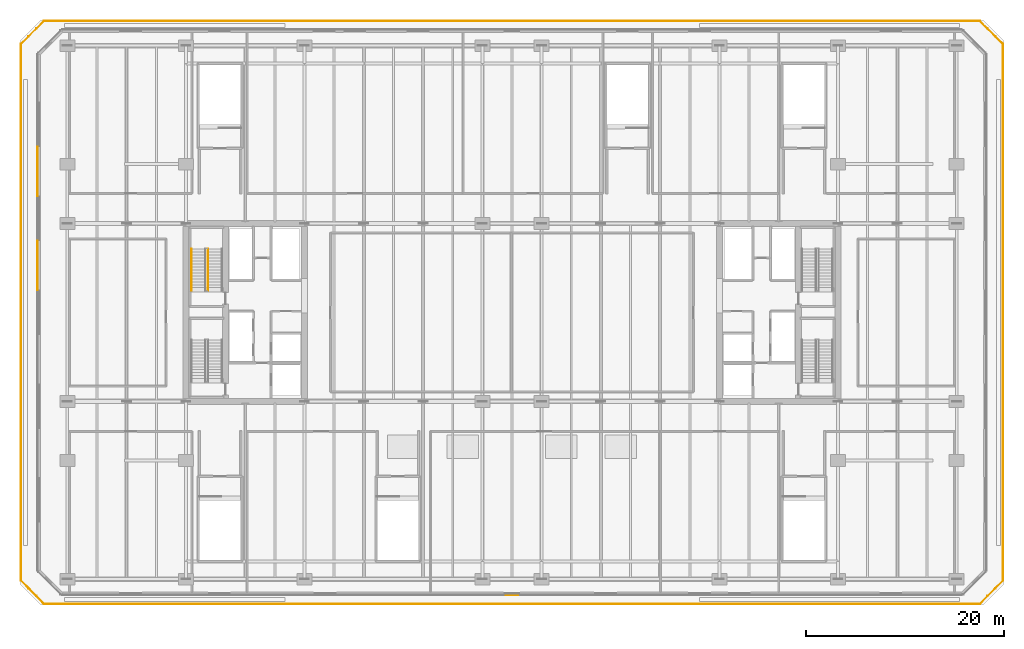
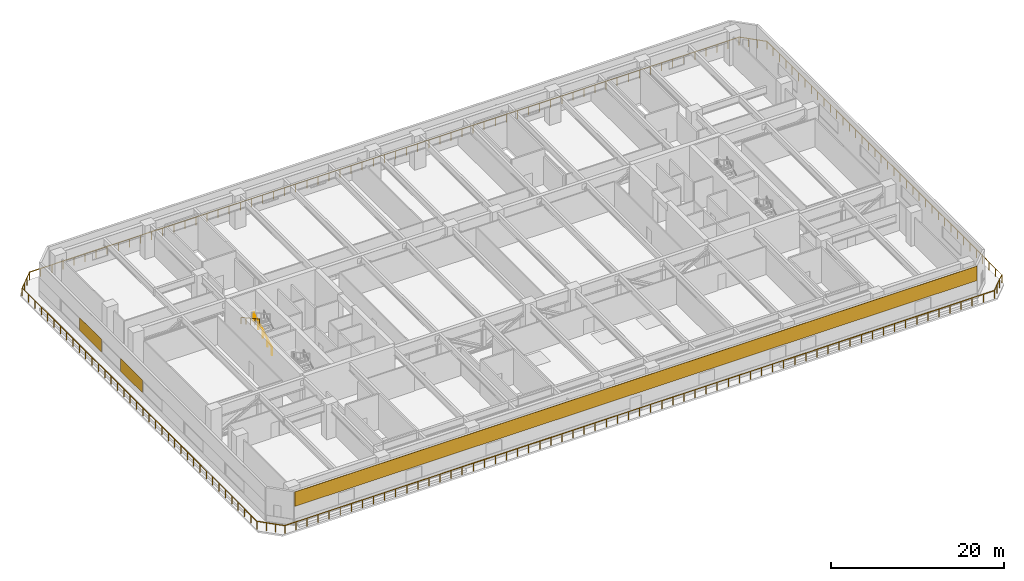
# One storey, part 19 of 25: 4 railings, 3 coverings.
"""IFC4 building model written with IfcOpenShell, lengths in metres."""

from ifc_helpers import new_model, si_unit, direction, frame, origin, origin_2d, place, context, subcontext, project, spatial, rectangle, extrude, material, layer, layer_set, type_object, element, save


model = new_model("IFC4")

# Units and contexts
model_context = context("Model", 3, precision=1e-05, world=origin(), true_north=direction((0.0, 1.0)))
body_context = subcontext(model_context, "Body", "Model", "MODEL_VIEW")
ifc_project = project(units=[si_unit("LENGTHUNIT", "METRE"), si_unit("AREAUNIT", "SQUARE_METRE"), si_unit("VOLUMEUNIT", "CUBIC_METRE"), si_unit("PLANEANGLEUNIT", "RADIAN"), si_unit("MASSUNIT", "GRAM", prefix="KILO")], contexts=[model_context])

# Site, building, storey
site_placement = place(None, origin())
site = spatial("IfcSite", under=ifc_project, at=site_placement, CompositionType="ELEMENT")
building_placement = place(site_placement, origin())
building = spatial("IfcBuilding", under=site, at=building_placement, Name="Tanjung Sevakor Pilgrim Tower", CompositionType="ELEMENT")
storey_placement = place(building_placement, frame((0.0, 0.0, 24.090087890625)))
storey = spatial("IfcBuildingStorey", under=building, at=storey_placement, Name="L06", CompositionType="ELEMENT", Elevation=24.090087890625)

# Coverings
ifc_material_1 = material(Name="Reconstructed Limestone Cladding", Category="masonry")
ifc_layer = layer(ifc_material_1, 0.044921875)
ifc_layer_set = layer_set([ifc_layer], Name="COV-CLAD-LIMESTONE")
covering_type = type_object("IfcCoveringType", Name="COV-CLAD-LIMESTONE", PredefinedType="CLADDING", material=ifc_layer_set)
covering_placement = place(storey_placement, frame((57.0, 4.9775390625, 2.659912109375), z_axis=(0.0, 0.0, 1.0), x_axis=(1.0, 0.0, 0.0)))
element("IfcCovering", 1, at=covering_placement, inside=storey, type_object=covering_type, Name="L06 Warm Limestone Cornice Spandrel EW-L06-MAIN-1", PredefinedType="CLADDING", context=body_context, shape_type="SweptSolid", body=[
    extrude(rectangle(XDim=91.0439453125, YDim=0.044921875, at=origin_2d()), origin(), (0.0, 0.0, 1.0), 2.0400390625),
])
for number, where, z_axis, x_axis, name in (
    (2, (8.9775390625, 47.85009765625, 0.849853515625), (0.0, 0.0, 1.0), (0.0, -1.0, 0.0), "L06 Warm Limestone Pier Panel EW-L06-MAIN-7-2"),
    (3, (8.9775390625, 38.35009765625, 0.849853515625), (0.0, 0.0, 1.0), (0.0, -1.0, 0.0), "L06 Warm Limestone Pier Panel EW-L06-MAIN-7-3"),
):
    element("IfcCovering", number, at=place(storey_placement, frame(where, z_axis=z_axis, x_axis=x_axis)), inside=storey, type_object=covering_type, Name=name, PredefinedType="CLADDING", context=body_context, shape_type="SweptSolid", body=[
        extrude(rectangle(XDim=5.0, YDim=0.044921875, at=origin_2d()), origin(), (0.0, 0.0, 1.0), 1.81005859375),
    ])

# Railings
ifc_material_2 = material(Name="Steel S355J2", Category="steel")
railing_type_1 = type_object("IfcRailingType", Name="RL-EXT-GUARD", PredefinedType="GUARDRAIL", material=ifc_material_2)
railing_1_placement = place(storey_placement, frame((9.641357421875, 4.10009765625, 0.0)))
element("IfcRailing", 4, at=railing_1_placement, inside=storey, type_object=railing_type_1, Name="L06 Terrace Perimeter Guardrail GR-PODTER-L06-1", PredefinedType="GUARDRAIL", context=body_context, shape_type="SweptSolid", body=[
    extrude(rectangle(XDim=0.0479, YDim=0.0479), frame((0.0, 0.0, 1.1259765625), z_axis=(1.0, 0.0, 0.0), x_axis=(0.0, 1.0, 0.0)), (0.0, 0.0, 1.0), 94.71728515625),
    extrude(rectangle(XDim=0.0479, YDim=0.0479), frame((94.71728515625, 0.0, 1.1259765625), z_axis=(0.707106781187, 0.707106781187, 0.0), x_axis=(-0.707106781187, 0.707106781187, 0.0)), (0.0, 0.0, 1.0), 3.31103515625),
    extrude(rectangle(XDim=0.0479, YDim=0.0479), frame((97.05859375, 2.34130859375, 1.1259765625), z_axis=(0.0, 1.0, 0.0), x_axis=(-1.0, 0.0, 0.0)), (0.0, 0.0, 1.0), 54.317138671875),
    extrude(rectangle(XDim=0.0479, YDim=0.0479), frame((97.05859375, 56.658447265625, 1.1259765625), z_axis=(-0.707069915266, 0.707143645185, 0.0), x_axis=(-0.707143645185, -0.707069915266, 0.0)), (0.0, 0.0, 1.0), 3.311279296875),
    extrude(rectangle(XDim=0.042, YDim=0.042), origin(), (0.0, 0.0, 1.0), 1.101806640625),
    extrude(rectangle(XDim=0.042, YDim=0.042), frame((1.47998046875, 0.0, 0.0)), (0.0, 0.0, 1.0), 1.101806640625),
    extrude(rectangle(XDim=0.042, YDim=0.042), frame((2.9599609375, 0.0, 0.0)), (0.0, 0.0, 1.0), 1.101806640625),
    extrude(rectangle(XDim=0.042, YDim=0.042), frame((4.43994140625, 0.0, 0.0)), (0.0, 0.0, 1.0), 1.101806640625),
    extrude(rectangle(XDim=0.042, YDim=0.042), frame((5.919921875, 0.0, 0.0)), (0.0, 0.0, 1.0), 1.101806640625),
    extrude(rectangle(XDim=0.042, YDim=0.042), frame((7.39990234375, 0.0, 0.0)), (0.0, 0.0, 1.0), 1.101806640625),
    extrude(rectangle(XDim=0.042, YDim=0.042), frame((8.879638671875, 0.0, 0.0)), (0.0, 0.0, 1.0), 1.101806640625),
    extrude(rectangle(XDim=0.042, YDim=0.042), frame((10.359619140625, 0.0, 0.0)), (0.0, 0.0, 1.0), 1.101806640625),
    extrude(rectangle(XDim=0.042, YDim=0.042), frame((11.839599609375, 0.0, 0.0)), (0.0, 0.0, 1.0), 1.101806640625),
    extrude(rectangle(XDim=0.042, YDim=0.042), frame((13.319580078125, 0.0, 0.0)), (0.0, 0.0, 1.0), 1.101806640625),
    extrude(rectangle(XDim=0.042, YDim=0.042), frame((14.799560546875, 0.0, 0.0)), (0.0, 0.0, 1.0), 1.101806640625),
    extrude(rectangle(XDim=0.042, YDim=0.042), frame((16.279541015625, 0.0, 0.0)), (0.0, 0.0, 1.0), 1.101806640625),
    extrude(rectangle(XDim=0.042, YDim=0.042), frame((17.759521484375, 0.0, 0.0)), (0.0, 0.0, 1.0), 1.101806640625),
    extrude(rectangle(XDim=0.042, YDim=0.042), frame((19.239501953125, 0.0, 0.0)), (0.0, 0.0, 1.0), 1.101806640625),
    extrude(rectangle(XDim=0.042, YDim=0.042), frame((20.719482421875, 0.0, 0.0)), (0.0, 0.0, 1.0), 1.101806640625),
    extrude(rectangle(XDim=0.042, YDim=0.042), frame((22.199462890625, 0.0, 0.0)), (0.0, 0.0, 1.0), 1.101806640625),
    extrude(rectangle(XDim=0.042, YDim=0.042), frame((23.67919921875, 0.0, 0.0)), (0.0, 0.0, 1.0), 1.101806640625),
    extrude(rectangle(XDim=0.042, YDim=0.042), frame((25.1591796875, 0.0, 0.0)), (0.0, 0.0, 1.0), 1.101806640625),
    extrude(rectangle(XDim=0.042, YDim=0.042), frame((26.63916015625, 0.0, 0.0)), (0.0, 0.0, 1.0), 1.101806640625),
    extrude(rectangle(XDim=0.042, YDim=0.042), frame((28.119140625, 0.0, 0.0)), (0.0, 0.0, 1.0), 1.101806640625),
    extrude(rectangle(XDim=0.042, YDim=0.042), frame((29.59912109375, 0.0, 0.0)), (0.0, 0.0, 1.0), 1.101806640625),
    extrude(rectangle(XDim=0.042, YDim=0.042), frame((31.0791015625, 0.0, 0.0)), (0.0, 0.0, 1.0), 1.101806640625),
    extrude(rectangle(XDim=0.042, YDim=0.042), frame((32.55908203125, 0.0, 0.0)), (0.0, 0.0, 1.0), 1.101806640625),
    extrude(rectangle(XDim=0.042, YDim=0.042), frame((34.0390625, 0.0, 0.0)), (0.0, 0.0, 1.0), 1.101806640625),
    extrude(rectangle(XDim=0.042, YDim=0.042), frame((35.51904296875, 0.0, 0.0)), (0.0, 0.0, 1.0), 1.101806640625),
    extrude(rectangle(XDim=0.042, YDim=0.042), frame((36.9990234375, 0.0, 0.0)), (0.0, 0.0, 1.0), 1.101806640625),
    extrude(rectangle(XDim=0.042, YDim=0.042), frame((38.47900390625, 0.0, 0.0)), (0.0, 0.0, 1.0), 1.101806640625),
    extrude(rectangle(XDim=0.042, YDim=0.042), frame((39.958740234375, 0.0, 0.0)), (0.0, 0.0, 1.0), 1.101806640625),
    extrude(rectangle(XDim=0.042, YDim=0.042), frame((41.438720703125, 0.0, 0.0)), (0.0, 0.0, 1.0), 1.101806640625),
    extrude(rectangle(XDim=0.042, YDim=0.042), frame((42.918701171875, 0.0, 0.0)), (0.0, 0.0, 1.0), 1.101806640625),
    extrude(rectangle(XDim=0.042, YDim=0.042), frame((44.398681640625, 0.0, 0.0)), (0.0, 0.0, 1.0), 1.101806640625),
    extrude(rectangle(XDim=0.042, YDim=0.042), frame((45.878662109375, 0.0, 0.0)), (0.0, 0.0, 1.0), 1.101806640625),
    extrude(rectangle(XDim=0.042, YDim=0.042), frame((47.358642578125, 0.0, 0.0)), (0.0, 0.0, 1.0), 1.101806640625),
    extrude(rectangle(XDim=0.042, YDim=0.042), frame((48.838623046875, 0.0, 0.0)), (0.0, 0.0, 1.0), 1.101806640625),
    extrude(rectangle(XDim=0.042, YDim=0.042), frame((50.318603515625, 0.0, 0.0)), (0.0, 0.0, 1.0), 1.101806640625),
    extrude(rectangle(XDim=0.042, YDim=0.042), frame((51.798583984375, 0.0, 0.0)), (0.0, 0.0, 1.0), 1.101806640625),
    extrude(rectangle(XDim=0.042, YDim=0.042), frame((53.278564453125, 0.0, 0.0)), (0.0, 0.0, 1.0), 1.101806640625),
    extrude(rectangle(XDim=0.042, YDim=0.042), frame((54.758544921875, 0.0, 0.0)), (0.0, 0.0, 1.0), 1.101806640625),
    extrude(rectangle(XDim=0.042, YDim=0.042), frame((56.23828125, 0.0, 0.0)), (0.0, 0.0, 1.0), 1.101806640625),
    extrude(rectangle(XDim=0.042, YDim=0.042), frame((57.71826171875, 0.0, 0.0)), (0.0, 0.0, 1.0), 1.101806640625),
    extrude(rectangle(XDim=0.042, YDim=0.042), frame((59.1982421875, 0.0, 0.0)), (0.0, 0.0, 1.0), 1.101806640625),
    extrude(rectangle(XDim=0.042, YDim=0.042), frame((60.67822265625, 0.0, 0.0)), (0.0, 0.0, 1.0), 1.101806640625),
    extrude(rectangle(XDim=0.042, YDim=0.042), frame((62.158203125, 0.0, 0.0)), (0.0, 0.0, 1.0), 1.101806640625),
    extrude(rectangle(XDim=0.042, YDim=0.042), frame((63.63818359375, 0.0, 0.0)), (0.0, 0.0, 1.0), 1.101806640625),
    extrude(rectangle(XDim=0.042, YDim=0.042), frame((65.1181640625, 0.0, 0.0)), (0.0, 0.0, 1.0), 1.101806640625),
    extrude(rectangle(XDim=0.042, YDim=0.042), frame((66.59814453125, 0.0, 0.0)), (0.0, 0.0, 1.0), 1.101806640625),
    extrude(rectangle(XDim=0.042, YDim=0.042), frame((68.078125, 0.0, 0.0)), (0.0, 0.0, 1.0), 1.101806640625),
    extrude(rectangle(XDim=0.042, YDim=0.042), frame((69.55810546875, 0.0, 0.0)), (0.0, 0.0, 1.0), 1.101806640625),
    extrude(rectangle(XDim=0.042, YDim=0.042), frame((71.0380859375, 0.0, 0.0)), (0.0, 0.0, 1.0), 1.101806640625),
    extrude(rectangle(XDim=0.042, YDim=0.042), frame((72.517822265625, 0.0, 0.0)), (0.0, 0.0, 1.0), 1.101806640625),
    extrude(rectangle(XDim=0.042, YDim=0.042), frame((73.997802734375, 0.0, 0.0)), (0.0, 0.0, 1.0), 1.101806640625),
    extrude(rectangle(XDim=0.042, YDim=0.042), frame((75.477783203125, 0.0, 0.0)), (0.0, 0.0, 1.0), 1.101806640625),
    extrude(rectangle(XDim=0.042, YDim=0.042), frame((76.957763671875, 0.0, 0.0)), (0.0, 0.0, 1.0), 1.101806640625),
    extrude(rectangle(XDim=0.042, YDim=0.042), frame((78.437744140625, 0.0, 0.0)), (0.0, 0.0, 1.0), 1.101806640625),
    extrude(rectangle(XDim=0.042, YDim=0.042), frame((79.917724609375, 0.0, 0.0)), (0.0, 0.0, 1.0), 1.101806640625),
    extrude(rectangle(XDim=0.042, YDim=0.042), frame((81.397705078125, 0.0, 0.0)), (0.0, 0.0, 1.0), 1.101806640625),
    extrude(rectangle(XDim=0.042, YDim=0.042), frame((82.877685546875, 0.0, 0.0)), (0.0, 0.0, 1.0), 1.101806640625),
    extrude(rectangle(XDim=0.042, YDim=0.042), frame((84.357666015625, 0.0, 0.0)), (0.0, 0.0, 1.0), 1.101806640625),
    extrude(rectangle(XDim=0.042, YDim=0.042), frame((85.837646484375, 0.0, 0.0)), (0.0, 0.0, 1.0), 1.101806640625),
    extrude(rectangle(XDim=0.042, YDim=0.042), frame((87.3173828125, 0.0, 0.0)), (0.0, 0.0, 1.0), 1.101806640625),
    extrude(rectangle(XDim=0.042, YDim=0.042), frame((88.79736328125, 0.0, 0.0)), (0.0, 0.0, 1.0), 1.101806640625),
    extrude(rectangle(XDim=0.042, YDim=0.042), frame((90.27734375, 0.0, 0.0)), (0.0, 0.0, 1.0), 1.101806640625),
    extrude(rectangle(XDim=0.042, YDim=0.042), frame((91.75732421875, 0.0, 0.0)), (0.0, 0.0, 1.0), 1.101806640625),
    extrude(rectangle(XDim=0.042, YDim=0.042), frame((93.2373046875, 0.0, 0.0)), (0.0, 0.0, 1.0), 1.101806640625),
    extrude(rectangle(XDim=0.042, YDim=0.042), frame((94.71728515625, 0.0, 0.0)), (0.0, 0.0, 1.0), 1.101806640625),
    extrude(rectangle(XDim=0.042, YDim=0.042), frame((95.497802734375, 0.780517578125, 0.0)), (0.0, 0.0, 1.0), 1.101806640625),
    extrude(rectangle(XDim=0.042, YDim=0.042), frame((96.278076171875, 1.560791015625, 0.0)), (0.0, 0.0, 1.0), 1.101806640625),
    extrude(rectangle(XDim=0.042, YDim=0.042), frame((97.05859375, 2.34130859375, 0.0)), (0.0, 0.0, 1.0), 1.101806640625),
    extrude(rectangle(XDim=0.042, YDim=0.042), frame((97.05859375, 3.809326171875, 0.0)), (0.0, 0.0, 1.0), 1.101806640625),
    extrude(rectangle(XDim=0.042, YDim=0.042), frame((97.05859375, 5.27734375, 0.0)), (0.0, 0.0, 1.0), 1.101806640625),
    extrude(rectangle(XDim=0.042, YDim=0.042), frame((97.05859375, 6.745361328125, 0.0)), (0.0, 0.0, 1.0), 1.101806640625),
    extrude(rectangle(XDim=0.042, YDim=0.042), frame((97.05859375, 8.21337890625, 0.0)), (0.0, 0.0, 1.0), 1.101806640625),
    extrude(rectangle(XDim=0.042, YDim=0.042), frame((97.05859375, 9.681396484375, 0.0)), (0.0, 0.0, 1.0), 1.101806640625),
    extrude(rectangle(XDim=0.042, YDim=0.042), frame((97.05859375, 11.1494140625, 0.0)), (0.0, 0.0, 1.0), 1.101806640625),
    extrude(rectangle(XDim=0.042, YDim=0.042), frame((97.05859375, 12.617431640625, 0.0)), (0.0, 0.0, 1.0), 1.101806640625),
    extrude(rectangle(XDim=0.042, YDim=0.042), frame((97.05859375, 14.08544921875, 0.0)), (0.0, 0.0, 1.0), 1.101806640625),
    extrude(rectangle(XDim=0.042, YDim=0.042), frame((97.05859375, 15.553466796875, 0.0)), (0.0, 0.0, 1.0), 1.101806640625),
    extrude(rectangle(XDim=0.042, YDim=0.042), frame((97.05859375, 17.021728515625, 0.0)), (0.0, 0.0, 1.0), 1.101806640625),
    extrude(rectangle(XDim=0.042, YDim=0.042), frame((97.05859375, 18.48974609375, 0.0)), (0.0, 0.0, 1.0), 1.101806640625),
    extrude(rectangle(XDim=0.042, YDim=0.042), frame((97.05859375, 19.957763671875, 0.0)), (0.0, 0.0, 1.0), 1.101806640625),
    extrude(rectangle(XDim=0.042, YDim=0.042), frame((97.05859375, 21.42578125, 0.0)), (0.0, 0.0, 1.0), 1.101806640625),
    extrude(rectangle(XDim=0.042, YDim=0.042), frame((97.05859375, 22.893798828125, 0.0)), (0.0, 0.0, 1.0), 1.101806640625),
    extrude(rectangle(XDim=0.042, YDim=0.042), frame((97.05859375, 24.36181640625, 0.0)), (0.0, 0.0, 1.0), 1.101806640625),
    extrude(rectangle(XDim=0.042, YDim=0.042), frame((97.05859375, 25.829833984375, 0.0)), (0.0, 0.0, 1.0), 1.101806640625),
    extrude(rectangle(XDim=0.042, YDim=0.042), frame((97.05859375, 27.2978515625, 0.0)), (0.0, 0.0, 1.0), 1.101806640625),
    extrude(rectangle(XDim=0.042, YDim=0.042), frame((97.05859375, 28.765869140625, 0.0)), (0.0, 0.0, 1.0), 1.101806640625),
    extrude(rectangle(XDim=0.042, YDim=0.042), frame((97.05859375, 30.23388671875, 0.0)), (0.0, 0.0, 1.0), 1.101806640625),
    extrude(rectangle(XDim=0.042, YDim=0.042), frame((97.05859375, 31.701904296875, 0.0)), (0.0, 0.0, 1.0), 1.101806640625),
    extrude(rectangle(XDim=0.042, YDim=0.042), frame((97.05859375, 33.169921875, 0.0)), (0.0, 0.0, 1.0), 1.101806640625),
    extrude(rectangle(XDim=0.042, YDim=0.042), frame((97.05859375, 34.637939453125, 0.0)), (0.0, 0.0, 1.0), 1.101806640625),
    extrude(rectangle(XDim=0.042, YDim=0.042), frame((97.05859375, 36.10595703125, 0.0)), (0.0, 0.0, 1.0), 1.101806640625),
    extrude(rectangle(XDim=0.042, YDim=0.042), frame((97.05859375, 37.573974609375, 0.0)), (0.0, 0.0, 1.0), 1.101806640625),
    extrude(rectangle(XDim=0.042, YDim=0.042), frame((97.05859375, 39.0419921875, 0.0)), (0.0, 0.0, 1.0), 1.101806640625),
    extrude(rectangle(XDim=0.042, YDim=0.042), frame((97.05859375, 40.510009765625, 0.0)), (0.0, 0.0, 1.0), 1.101806640625),
    extrude(rectangle(XDim=0.042, YDim=0.042), frame((97.05859375, 41.97802734375, 0.0)), (0.0, 0.0, 1.0), 1.101806640625),
    extrude(rectangle(XDim=0.042, YDim=0.042), frame((97.05859375, 43.4462890625, 0.0)), (0.0, 0.0, 1.0), 1.101806640625),
    extrude(rectangle(XDim=0.042, YDim=0.042), frame((97.05859375, 44.914306640625, 0.0)), (0.0, 0.0, 1.0), 1.101806640625),
    extrude(rectangle(XDim=0.042, YDim=0.042), frame((97.05859375, 46.38232421875, 0.0)), (0.0, 0.0, 1.0), 1.101806640625),
    extrude(rectangle(XDim=0.042, YDim=0.042), frame((97.05859375, 47.850341796875, 0.0)), (0.0, 0.0, 1.0), 1.101806640625),
    extrude(rectangle(XDim=0.042, YDim=0.042), frame((97.05859375, 49.318359375, 0.0)), (0.0, 0.0, 1.0), 1.101806640625),
    extrude(rectangle(XDim=0.042, YDim=0.042), frame((97.05859375, 50.786376953125, 0.0)), (0.0, 0.0, 1.0), 1.101806640625),
    extrude(rectangle(XDim=0.042, YDim=0.042), frame((97.05859375, 52.25439453125, 0.0)), (0.0, 0.0, 1.0), 1.101806640625),
    extrude(rectangle(XDim=0.042, YDim=0.042), frame((97.05859375, 53.722412109375, 0.0)), (0.0, 0.0, 1.0), 1.101806640625),
    extrude(rectangle(XDim=0.042, YDim=0.042), frame((97.05859375, 55.1904296875, 0.0)), (0.0, 0.0, 1.0), 1.101806640625),
    extrude(rectangle(XDim=0.042, YDim=0.042), frame((97.05859375, 56.658447265625, 0.0)), (0.0, 0.0, 1.0), 1.101806640625),
    extrude(rectangle(XDim=0.042, YDim=0.042), frame((96.278076171875, 57.43896484375, 0.0)), (0.0, 0.0, 1.0), 1.101806640625),
    extrude(rectangle(XDim=0.042, YDim=0.042), frame((95.497802734375, 58.219482421875, 0.0)), (0.0, 0.0, 1.0), 1.101806640625),
    extrude(rectangle(XDim=0.042, YDim=0.042), frame((94.71728515625, 59.0, 0.0)), (0.0, 0.0, 1.0), 1.101806640625),
])
railing_2_placement = place(storey_placement, frame((104.358642578125, 63.10009765625, 0.0)))
element("IfcRailing", 5, at=railing_2_placement, inside=storey, type_object=railing_type_1, Name="L06 Terrace Perimeter Guardrail GR-PODTER-L06-2", PredefinedType="GUARDRAIL", context=body_context, shape_type="SweptSolid", body=[
    extrude(rectangle(XDim=0.0479, YDim=0.0479), frame((0.0, 0.0, 1.1259765625), z_axis=(-1.0, 0.0, 0.0), x_axis=(0.0, -1.0, 0.0)), (0.0, 0.0, 1.0), 94.71728515625),
    extrude(rectangle(XDim=0.0479, YDim=0.0479), frame((-94.71728515625, 0.0, 1.1259765625), z_axis=(-0.707069915266, -0.707143645185, 0.0), x_axis=(0.707143645185, -0.707069915266, 0.0)), (0.0, 0.0, 1.0), 3.311279296875),
    extrude(rectangle(XDim=0.0479, YDim=0.0479), frame((-97.05859375, -2.341552734375, 1.1259765625), z_axis=(0.0, -1.0, 0.0), x_axis=(1.0, 0.0, 0.0)), (0.0, 0.0, 1.0), 54.317138671875),
    extrude(rectangle(XDim=0.0479, YDim=0.0479), frame((-97.05859375, -56.65869140625, 1.1259765625), z_axis=(0.707106781187, -0.707106781187, 0.0), x_axis=(0.707106781187, 0.707106781187, 0.0)), (0.0, 0.0, 1.0), 3.31103515625),
    extrude(rectangle(XDim=0.042, YDim=0.042), origin(), (0.0, 0.0, 1.0), 1.101806640625),
    extrude(rectangle(XDim=0.042, YDim=0.042), frame((-1.47998046875, 0.0, 0.0)), (0.0, 0.0, 1.0), 1.101806640625),
    extrude(rectangle(XDim=0.042, YDim=0.042), frame((-2.9599609375, 0.0, 0.0)), (0.0, 0.0, 1.0), 1.101806640625),
    extrude(rectangle(XDim=0.042, YDim=0.042), frame((-4.43994140625, 0.0, 0.0)), (0.0, 0.0, 1.0), 1.101806640625),
    extrude(rectangle(XDim=0.042, YDim=0.042), frame((-5.919921875, 0.0, 0.0)), (0.0, 0.0, 1.0), 1.101806640625),
    extrude(rectangle(XDim=0.042, YDim=0.042), frame((-7.39990234375, 0.0, 0.0)), (0.0, 0.0, 1.0), 1.101806640625),
    extrude(rectangle(XDim=0.042, YDim=0.042), frame((-8.879638671875, 0.0, 0.0)), (0.0, 0.0, 1.0), 1.101806640625),
    extrude(rectangle(XDim=0.042, YDim=0.042), frame((-10.359619140625, 0.0, 0.0)), (0.0, 0.0, 1.0), 1.101806640625),
    extrude(rectangle(XDim=0.042, YDim=0.042), frame((-11.839599609375, 0.0, 0.0)), (0.0, 0.0, 1.0), 1.101806640625),
    extrude(rectangle(XDim=0.042, YDim=0.042), frame((-13.319580078125, 0.0, 0.0)), (0.0, 0.0, 1.0), 1.101806640625),
    extrude(rectangle(XDim=0.042, YDim=0.042), frame((-14.799560546875, 0.0, 0.0)), (0.0, 0.0, 1.0), 1.101806640625),
    extrude(rectangle(XDim=0.042, YDim=0.042), frame((-16.279541015625, 0.0, 0.0)), (0.0, 0.0, 1.0), 1.101806640625),
    extrude(rectangle(XDim=0.042, YDim=0.042), frame((-17.759521484375, 0.0, 0.0)), (0.0, 0.0, 1.0), 1.101806640625),
    extrude(rectangle(XDim=0.042, YDim=0.042), frame((-19.239501953125, 0.0, 0.0)), (0.0, 0.0, 1.0), 1.101806640625),
    extrude(rectangle(XDim=0.042, YDim=0.042), frame((-20.719482421875, 0.0, 0.0)), (0.0, 0.0, 1.0), 1.101806640625),
    extrude(rectangle(XDim=0.042, YDim=0.042), frame((-22.199462890625, 0.0, 0.0)), (0.0, 0.0, 1.0), 1.101806640625),
    extrude(rectangle(XDim=0.042, YDim=0.042), frame((-23.67919921875, 0.0, 0.0)), (0.0, 0.0, 1.0), 1.101806640625),
    extrude(rectangle(XDim=0.042, YDim=0.042), frame((-25.1591796875, 0.0, 0.0)), (0.0, 0.0, 1.0), 1.101806640625),
    extrude(rectangle(XDim=0.042, YDim=0.042), frame((-26.63916015625, 0.0, 0.0)), (0.0, 0.0, 1.0), 1.101806640625),
    extrude(rectangle(XDim=0.042, YDim=0.042), frame((-28.119140625, 0.0, 0.0)), (0.0, 0.0, 1.0), 1.101806640625),
    extrude(rectangle(XDim=0.042, YDim=0.042), frame((-29.59912109375, 0.0, 0.0)), (0.0, 0.0, 1.0), 1.101806640625),
    extrude(rectangle(XDim=0.042, YDim=0.042), frame((-31.0791015625, 0.0, 0.0)), (0.0, 0.0, 1.0), 1.101806640625),
    extrude(rectangle(XDim=0.042, YDim=0.042), frame((-32.55908203125, 0.0, 0.0)), (0.0, 0.0, 1.0), 1.101806640625),
    extrude(rectangle(XDim=0.042, YDim=0.042), frame((-34.0390625, 0.0, 0.0)), (0.0, 0.0, 1.0), 1.101806640625),
    extrude(rectangle(XDim=0.042, YDim=0.042), frame((-35.51904296875, 0.0, 0.0)), (0.0, 0.0, 1.0), 1.101806640625),
    extrude(rectangle(XDim=0.042, YDim=0.042), frame((-36.9990234375, 0.0, 0.0)), (0.0, 0.0, 1.0), 1.101806640625),
    extrude(rectangle(XDim=0.042, YDim=0.042), frame((-38.47900390625, 0.0, 0.0)), (0.0, 0.0, 1.0), 1.101806640625),
    extrude(rectangle(XDim=0.042, YDim=0.042), frame((-39.958740234375, 0.0, 0.0)), (0.0, 0.0, 1.0), 1.101806640625),
    extrude(rectangle(XDim=0.042, YDim=0.042), frame((-41.438720703125, 0.0, 0.0)), (0.0, 0.0, 1.0), 1.101806640625),
    extrude(rectangle(XDim=0.042, YDim=0.042), frame((-42.918701171875, 0.0, 0.0)), (0.0, 0.0, 1.0), 1.101806640625),
    extrude(rectangle(XDim=0.042, YDim=0.042), frame((-44.398681640625, 0.0, 0.0)), (0.0, 0.0, 1.0), 1.101806640625),
    extrude(rectangle(XDim=0.042, YDim=0.042), frame((-45.878662109375, 0.0, 0.0)), (0.0, 0.0, 1.0), 1.101806640625),
    extrude(rectangle(XDim=0.042, YDim=0.042), frame((-47.358642578125, 0.0, 0.0)), (0.0, 0.0, 1.0), 1.101806640625),
    extrude(rectangle(XDim=0.042, YDim=0.042), frame((-48.838623046875, 0.0, 0.0)), (0.0, 0.0, 1.0), 1.101806640625),
    extrude(rectangle(XDim=0.042, YDim=0.042), frame((-50.318603515625, 0.0, 0.0)), (0.0, 0.0, 1.0), 1.101806640625),
    extrude(rectangle(XDim=0.042, YDim=0.042), frame((-51.798583984375, 0.0, 0.0)), (0.0, 0.0, 1.0), 1.101806640625),
    extrude(rectangle(XDim=0.042, YDim=0.042), frame((-53.278564453125, 0.0, 0.0)), (0.0, 0.0, 1.0), 1.101806640625),
    extrude(rectangle(XDim=0.042, YDim=0.042), frame((-54.758544921875, 0.0, 0.0)), (0.0, 0.0, 1.0), 1.101806640625),
    extrude(rectangle(XDim=0.042, YDim=0.042), frame((-56.23828125, 0.0, 0.0)), (0.0, 0.0, 1.0), 1.101806640625),
    extrude(rectangle(XDim=0.042, YDim=0.042), frame((-57.71826171875, 0.0, 0.0)), (0.0, 0.0, 1.0), 1.101806640625),
    extrude(rectangle(XDim=0.042, YDim=0.042), frame((-59.1982421875, 0.0, 0.0)), (0.0, 0.0, 1.0), 1.101806640625),
    extrude(rectangle(XDim=0.042, YDim=0.042), frame((-60.67822265625, 0.0, 0.0)), (0.0, 0.0, 1.0), 1.101806640625),
    extrude(rectangle(XDim=0.042, YDim=0.042), frame((-62.158203125, 0.0, 0.0)), (0.0, 0.0, 1.0), 1.101806640625),
    extrude(rectangle(XDim=0.042, YDim=0.042), frame((-63.63818359375, 0.0, 0.0)), (0.0, 0.0, 1.0), 1.101806640625),
    extrude(rectangle(XDim=0.042, YDim=0.042), frame((-65.1181640625, 0.0, 0.0)), (0.0, 0.0, 1.0), 1.101806640625),
    extrude(rectangle(XDim=0.042, YDim=0.042), frame((-66.59814453125, 0.0, 0.0)), (0.0, 0.0, 1.0), 1.101806640625),
    extrude(rectangle(XDim=0.042, YDim=0.042), frame((-68.078125, 0.0, 0.0)), (0.0, 0.0, 1.0), 1.101806640625),
    extrude(rectangle(XDim=0.042, YDim=0.042), frame((-69.55810546875, 0.0, 0.0)), (0.0, 0.0, 1.0), 1.101806640625),
    extrude(rectangle(XDim=0.042, YDim=0.042), frame((-71.0380859375, 0.0, 0.0)), (0.0, 0.0, 1.0), 1.101806640625),
    extrude(rectangle(XDim=0.042, YDim=0.042), frame((-72.517822265625, 0.0, 0.0)), (0.0, 0.0, 1.0), 1.101806640625),
    extrude(rectangle(XDim=0.042, YDim=0.042), frame((-73.997802734375, 0.0, 0.0)), (0.0, 0.0, 1.0), 1.101806640625),
    extrude(rectangle(XDim=0.042, YDim=0.042), frame((-75.477783203125, 0.0, 0.0)), (0.0, 0.0, 1.0), 1.101806640625),
    extrude(rectangle(XDim=0.042, YDim=0.042), frame((-76.957763671875, 0.0, 0.0)), (0.0, 0.0, 1.0), 1.101806640625),
    extrude(rectangle(XDim=0.042, YDim=0.042), frame((-78.437744140625, 0.0, 0.0)), (0.0, 0.0, 1.0), 1.101806640625),
    extrude(rectangle(XDim=0.042, YDim=0.042), frame((-79.917724609375, 0.0, 0.0)), (0.0, 0.0, 1.0), 1.101806640625),
    extrude(rectangle(XDim=0.042, YDim=0.042), frame((-81.397705078125, 0.0, 0.0)), (0.0, 0.0, 1.0), 1.101806640625),
    extrude(rectangle(XDim=0.042, YDim=0.042), frame((-82.877685546875, 0.0, 0.0)), (0.0, 0.0, 1.0), 1.101806640625),
    extrude(rectangle(XDim=0.042, YDim=0.042), frame((-84.357666015625, 0.0, 0.0)), (0.0, 0.0, 1.0), 1.101806640625),
    extrude(rectangle(XDim=0.042, YDim=0.042), frame((-85.837646484375, 0.0, 0.0)), (0.0, 0.0, 1.0), 1.101806640625),
    extrude(rectangle(XDim=0.042, YDim=0.042), frame((-87.3173828125, 0.0, 0.0)), (0.0, 0.0, 1.0), 1.101806640625),
    extrude(rectangle(XDim=0.042, YDim=0.042), frame((-88.79736328125, 0.0, 0.0)), (0.0, 0.0, 1.0), 1.101806640625),
    extrude(rectangle(XDim=0.042, YDim=0.042), frame((-90.27734375, 0.0, 0.0)), (0.0, 0.0, 1.0), 1.101806640625),
    extrude(rectangle(XDim=0.042, YDim=0.042), frame((-91.75732421875, 0.0, 0.0)), (0.0, 0.0, 1.0), 1.101806640625),
    extrude(rectangle(XDim=0.042, YDim=0.042), frame((-93.2373046875, 0.0, 0.0)), (0.0, 0.0, 1.0), 1.101806640625),
    extrude(rectangle(XDim=0.042, YDim=0.042), frame((-94.71728515625, 0.0, 0.0)), (0.0, 0.0, 1.0), 1.101806640625),
    extrude(rectangle(XDim=0.042, YDim=0.042), frame((-95.497802734375, -0.780517578125, 0.0)), (0.0, 0.0, 1.0), 1.101806640625),
    extrude(rectangle(XDim=0.042, YDim=0.042), frame((-96.278076171875, -1.56103515625, 0.0)), (0.0, 0.0, 1.0), 1.101806640625),
    extrude(rectangle(XDim=0.042, YDim=0.042), frame((-97.05859375, -2.341552734375, 0.0)), (0.0, 0.0, 1.0), 1.101806640625),
    extrude(rectangle(XDim=0.042, YDim=0.042), frame((-97.05859375, -3.8095703125, 0.0)), (0.0, 0.0, 1.0), 1.101806640625),
    extrude(rectangle(XDim=0.042, YDim=0.042), frame((-97.05859375, -5.277587890625, 0.0)), (0.0, 0.0, 1.0), 1.101806640625),
    extrude(rectangle(XDim=0.042, YDim=0.042), frame((-97.05859375, -6.74560546875, 0.0)), (0.0, 0.0, 1.0), 1.101806640625),
    extrude(rectangle(XDim=0.042, YDim=0.042), frame((-97.05859375, -8.213623046875, 0.0)), (0.0, 0.0, 1.0), 1.101806640625),
    extrude(rectangle(XDim=0.042, YDim=0.042), frame((-97.05859375, -9.681640625, 0.0)), (0.0, 0.0, 1.0), 1.101806640625),
    extrude(rectangle(XDim=0.042, YDim=0.042), frame((-97.05859375, -11.149658203125, 0.0)), (0.0, 0.0, 1.0), 1.101806640625),
    extrude(rectangle(XDim=0.042, YDim=0.042), frame((-97.05859375, -12.61767578125, 0.0)), (0.0, 0.0, 1.0), 1.101806640625),
    extrude(rectangle(XDim=0.042, YDim=0.042), frame((-97.05859375, -14.085693359375, 0.0)), (0.0, 0.0, 1.0), 1.101806640625),
    extrude(rectangle(XDim=0.042, YDim=0.042), frame((-97.05859375, -15.5537109375, 0.0)), (0.0, 0.0, 1.0), 1.101806640625),
    extrude(rectangle(XDim=0.042, YDim=0.042), frame((-97.05859375, -17.02197265625, 0.0)), (0.0, 0.0, 1.0), 1.101806640625),
    extrude(rectangle(XDim=0.042, YDim=0.042), frame((-97.05859375, -18.489990234375, 0.0)), (0.0, 0.0, 1.0), 1.101806640625),
    extrude(rectangle(XDim=0.042, YDim=0.042), frame((-97.05859375, -19.9580078125, 0.0)), (0.0, 0.0, 1.0), 1.101806640625),
    extrude(rectangle(XDim=0.042, YDim=0.042), frame((-97.05859375, -21.426025390625, 0.0)), (0.0, 0.0, 1.0), 1.101806640625),
    extrude(rectangle(XDim=0.042, YDim=0.042), frame((-97.05859375, -22.89404296875, 0.0)), (0.0, 0.0, 1.0), 1.101806640625),
    extrude(rectangle(XDim=0.042, YDim=0.042), frame((-97.05859375, -24.362060546875, 0.0)), (0.0, 0.0, 1.0), 1.101806640625),
    extrude(rectangle(XDim=0.042, YDim=0.042), frame((-97.05859375, -25.830078125, 0.0)), (0.0, 0.0, 1.0), 1.101806640625),
    extrude(rectangle(XDim=0.042, YDim=0.042), frame((-97.05859375, -27.298095703125, 0.0)), (0.0, 0.0, 1.0), 1.101806640625),
    extrude(rectangle(XDim=0.042, YDim=0.042), frame((-97.05859375, -28.76611328125, 0.0)), (0.0, 0.0, 1.0), 1.101806640625),
    extrude(rectangle(XDim=0.042, YDim=0.042), frame((-97.05859375, -30.234130859375, 0.0)), (0.0, 0.0, 1.0), 1.101806640625),
    extrude(rectangle(XDim=0.042, YDim=0.042), frame((-97.05859375, -31.7021484375, 0.0)), (0.0, 0.0, 1.0), 1.101806640625),
    extrude(rectangle(XDim=0.042, YDim=0.042), frame((-97.05859375, -33.170166015625, 0.0)), (0.0, 0.0, 1.0), 1.101806640625),
    extrude(rectangle(XDim=0.042, YDim=0.042), frame((-97.05859375, -34.63818359375, 0.0)), (0.0, 0.0, 1.0), 1.101806640625),
    extrude(rectangle(XDim=0.042, YDim=0.042), frame((-97.05859375, -36.106201171875, 0.0)), (0.0, 0.0, 1.0), 1.101806640625),
    extrude(rectangle(XDim=0.042, YDim=0.042), frame((-97.05859375, -37.57421875, 0.0)), (0.0, 0.0, 1.0), 1.101806640625),
    extrude(rectangle(XDim=0.042, YDim=0.042), frame((-97.05859375, -39.042236328125, 0.0)), (0.0, 0.0, 1.0), 1.101806640625),
    extrude(rectangle(XDim=0.042, YDim=0.042), frame((-97.05859375, -40.51025390625, 0.0)), (0.0, 0.0, 1.0), 1.101806640625),
    extrude(rectangle(XDim=0.042, YDim=0.042), frame((-97.05859375, -41.978271484375, 0.0)), (0.0, 0.0, 1.0), 1.101806640625),
    extrude(rectangle(XDim=0.042, YDim=0.042), frame((-97.05859375, -43.446533203125, 0.0)), (0.0, 0.0, 1.0), 1.101806640625),
    extrude(rectangle(XDim=0.042, YDim=0.042), frame((-97.05859375, -44.91455078125, 0.0)), (0.0, 0.0, 1.0), 1.101806640625),
    extrude(rectangle(XDim=0.042, YDim=0.042), frame((-97.05859375, -46.382568359375, 0.0)), (0.0, 0.0, 1.0), 1.101806640625),
    extrude(rectangle(XDim=0.042, YDim=0.042), frame((-97.05859375, -47.8505859375, 0.0)), (0.0, 0.0, 1.0), 1.101806640625),
    extrude(rectangle(XDim=0.042, YDim=0.042), frame((-97.05859375, -49.318603515625, 0.0)), (0.0, 0.0, 1.0), 1.101806640625),
    extrude(rectangle(XDim=0.042, YDim=0.042), frame((-97.05859375, -50.78662109375, 0.0)), (0.0, 0.0, 1.0), 1.101806640625),
    extrude(rectangle(XDim=0.042, YDim=0.042), frame((-97.05859375, -52.254638671875, 0.0)), (0.0, 0.0, 1.0), 1.101806640625),
    extrude(rectangle(XDim=0.042, YDim=0.042), frame((-97.05859375, -53.72265625, 0.0)), (0.0, 0.0, 1.0), 1.101806640625),
    extrude(rectangle(XDim=0.042, YDim=0.042), frame((-97.05859375, -55.190673828125, 0.0)), (0.0, 0.0, 1.0), 1.101806640625),
    extrude(rectangle(XDim=0.042, YDim=0.042), frame((-97.05859375, -56.65869140625, 0.0)), (0.0, 0.0, 1.0), 1.101806640625),
    extrude(rectangle(XDim=0.042, YDim=0.042), frame((-96.278076171875, -57.439208984375, 0.0)), (0.0, 0.0, 1.0), 1.101806640625),
    extrude(rectangle(XDim=0.042, YDim=0.042), frame((-95.497802734375, -58.219482421875, 0.0)), (0.0, 0.0, 1.0), 1.101806640625),
    extrude(rectangle(XDim=0.042, YDim=0.042), frame((-94.71728515625, -59.0, 0.0)), (0.0, 0.0, 1.0), 1.101806640625),
])
ifc_material_3 = material(Name="Steel S355J2", Category="steel")
railing_type_2 = type_object("IfcRailingType", Name="RL-STAIR-GUARD", PredefinedType="GUARDRAIL", material=ifc_material_3)
railing_3_placement = place(storey_placement, frame((26.25, 35.800048828125, 0.164794921875)))
element("IfcRailing", 6, at=railing_3_placement, inside=storey, type_object=railing_type_2, Name="L06 TS-W2 stair guard 1", PredefinedType="GUARDRAIL", context=body_context, shape_type="SweptSolid", body=[
    extrude(rectangle(XDim=0.0479, YDim=0.0479), frame((0.0, 0.0, 1.076171875), z_axis=(0.0, 0.876208380975, 0.481932436249), x_axis=(-1.0, 0.0, 0.0)), (0.0, 0.0, 1.0), 4.793212890625),
    extrude(rectangle(XDim=0.042, YDim=0.042), origin(), (0.0, 0.0, 1.0), 1.052001953125),
    extrude(rectangle(XDim=0.042, YDim=0.042), frame((0.0, 1.050048828125, 0.57763671875)), (0.0, 0.0, 1.0), 1.052001953125),
    extrude(rectangle(XDim=0.042, YDim=0.042), frame((0.0, 2.10009765625, 1.155029296875)), (0.0, 0.0, 1.0), 1.052001953125),
    extrude(rectangle(XDim=0.042, YDim=0.042), frame((0.0, 3.14990234375, 1.732421875)), (0.0, 0.0, 1.0), 1.052001953125),
    extrude(rectangle(XDim=0.042, YDim=0.042), frame((0.0, 4.199951171875, 2.31005859375)), (0.0, 0.0, 1.0), 1.052001953125),
])
ifc_material_4 = material(Name="Steel S355J2", Category="steel")
railing_type_3 = type_object("IfcRailingType", Name="RL-STAIR-HAND", PredefinedType="HANDRAIL", material=ifc_material_4)
railing_4_placement = place(storey_placement, frame((24.550048828125, 40.0, 2.639892578125)))
element("IfcRailing", 7, at=railing_4_placement, inside=storey, type_object=railing_type_3, Name="L06 TS-W2 stair handrail 2", PredefinedType="HANDRAIL", context=body_context, shape_type="SweptSolid", body=[
    extrude(rectangle(XDim=0.0479, YDim=0.0479), frame((0.0, 0.0, 0.8759765625), z_axis=(0.0, -0.876208380975, 0.481932436249), x_axis=(1.0, 0.0, 0.0)), (0.0, 0.0, 1.0), 4.793212890625),
    extrude(rectangle(XDim=0.042, YDim=0.042), origin(), (0.0, 0.0, 1.0), 0.851806640625),
    extrude(rectangle(XDim=0.042, YDim=0.042), frame((0.0, -1.050048828125, 0.57763671875)), (0.0, 0.0, 1.0), 0.851806640625),
    extrude(rectangle(XDim=0.042, YDim=0.042), frame((0.0, -2.10009765625, 1.155029296875)), (0.0, 0.0, 1.0), 0.851806640625),
    extrude(rectangle(XDim=0.042, YDim=0.042), frame((0.0, -3.14990234375, 1.732421875)), (0.0, 0.0, 1.0), 0.851806640625),
    extrude(rectangle(XDim=0.042, YDim=0.042), frame((0.0, -4.199951171875, 2.31005859375)), (0.0, 0.0, 1.0), 0.851806640625),
])

save(model, "model.ifc")
